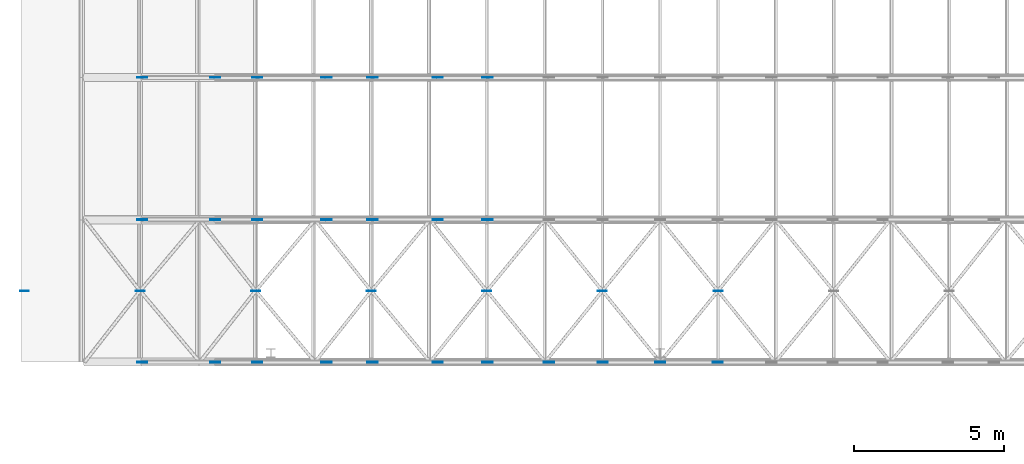
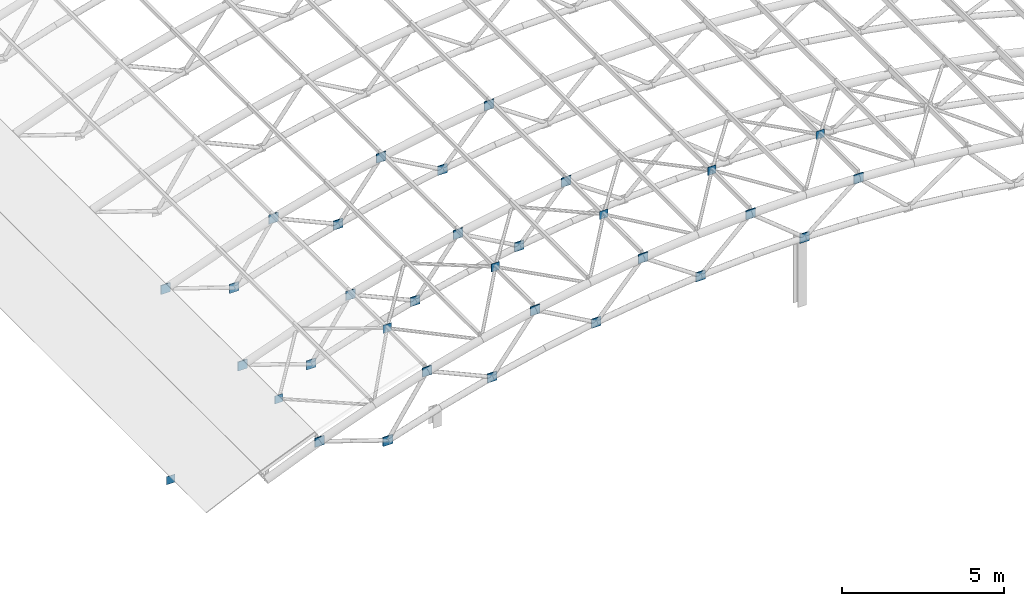
# One storey, part 11 of 22: 32 discrete accessories.
"""IFC4 building model written with IfcOpenShell, lengths in metres."""

import ifcopenshell
import ifcopenshell.guid

model = None  # the IFC model being written
_history = None  # IfcOwnerHistory: only IFC2X3 demands one
_inside = {}  # id of a spatial element -> (the spatial element, [elements in it])
_under = {}  # id of a project, library or spatial element -> (it, [spatial elements below it])
_declared = {}  # id of a project -> (the project, [libraries it declares])
_typed = {}  # id of a type object -> (the type object, [elements of that type])
_made_of = {}  # id of a material, layer set ... -> (it, [elements and type objects made of it])


def new_model(schema):
    """Start an empty IFC model of exactly this schema.

    Asked for "IFC4X3", IfcOpenShell would pick the latest addendum, in which some entities
    have other attributes; the version numbers below select the first issue.
    IFC2X3 requires an IfcOwnerHistory on every rooted entity: one is made here for all.
    """
    global model, _history
    if schema == "IFC4X3":
        model = ifcopenshell.file(schema_version=(4, 3, 0, 0))
    else:
        model = ifcopenshell.file(schema=schema)
    _inside.clear()
    _under.clear()
    _declared.clear()
    _typed.clear()
    _made_of.clear()
    _history = None
    if model.schema == "IFC2X3":
        org = make("IfcOrganization", Name="unknown")
        user = make(
            "IfcPersonAndOrganization",
            ThePerson=make("IfcPerson", FamilyName="unknown"),
            TheOrganization=org,
        )
        app = make(
            "IfcApplication",
            ApplicationDeveloper=org,
            Version="unknown",
            ApplicationFullName="unknown",
            ApplicationIdentifier="unknown",
        )
        _history = make(
            "IfcOwnerHistory",
            OwningUser=user,
            OwningApplication=app,
            ChangeAction="ADDED",
            CreationDate=0,
        )
    return model


def make(cls, **values):
    """One entity of the class cls with the attributes given. An attribute that is None is left unset."""
    return model.create_entity(
        cls, **{name: value for name, value in values.items() if value is not None}
    )


def rooted(cls, **values):
    """An entity with a GlobalId (a new one), such as an element, a storey or a relation."""
    return make(cls, GlobalId=ifcopenshell.guid.new(), OwnerHistory=_history, **values)


def si_unit(unit_type, name, prefix=None):
    """IfcSIUnit, for example si_unit("LENGTHUNIT", "METRE", prefix="MILLI")."""
    return make("IfcSIUnit", UnitType=unit_type, Prefix=prefix, Name=name)


def assignment(units):
    """IfcUnitAssignment: the units of a project."""
    return None if units is None else make("IfcUnitAssignment", Units=units)


def point(xyz):
    """IfcCartesianPoint."""
    return None if xyz is None else make("IfcCartesianPoint", Coordinates=xyz)


def direction(xyz):
    """IfcDirection."""
    return None if xyz is None else make("IfcDirection", DirectionRatios=xyz)


def frame(location, z_axis=None, x_axis=None):
    """IfcAxis2Placement3D, a coordinate frame: its origin and axes. An axis left out is left unset."""
    return make(
        "IfcAxis2Placement3D",
        Location=point(location),
        Axis=direction(z_axis),
        RefDirection=direction(x_axis),
    )


def frame_2d(location, x_axis=None):
    """IfcAxis2Placement2D, a coordinate frame in the plane: its origin and x axis."""
    return make(
        "IfcAxis2Placement2D", Location=point(location), RefDirection=direction(x_axis)
    )


def origin():
    """The frame at (0, 0, 0) with its axes left unset."""
    return frame((0.0, 0.0, 0.0))


def origin_2d():
    """The frame at (0, 0) in the plane with its x axis left unset."""
    return frame_2d((0.0, 0.0))


def place(relative_to, where):
    """IfcLocalPlacement: puts the frame where relative to a parent placement (None: the world)."""
    return make(
        "IfcLocalPlacement", PlacementRelTo=relative_to, RelativePlacement=where
    )


def context(
    kind, dimensions, precision=None, world=None, true_north=None, identifier=None
):
    """IfcGeometricRepresentationContext, for example the 3D "Model" context."""
    return make(
        "IfcGeometricRepresentationContext",
        ContextIdentifier=identifier,
        ContextType=kind,
        CoordinateSpaceDimension=dimensions,
        Precision=precision,
        WorldCoordinateSystem=world,
        TrueNorth=true_north,
    )


def subcontext(parent, identifier, kind, view, scale=None):
    """IfcGeometricRepresentationSubContext, for example "Body" below "Model"."""
    return make(
        "IfcGeometricRepresentationSubContext",
        ContextIdentifier=identifier,
        ContextType=kind,
        ParentContext=parent,
        TargetScale=scale,
        TargetView=view,
    )


def project(units=None, contexts=None):
    """IfcProject with its units and contexts."""
    return rooted(
        "IfcProject",
        Name="project",
        RepresentationContexts=contexts,
        UnitsInContext=assignment(units),
    )


def spatial(cls, under=None, at=None, **own):
    """A site, building, storey or space (cls), placed at a placement, below another one or the project."""
    s = rooted(cls, ObjectPlacement=at, **own)
    if under is not None:
        _under.setdefault(under.id(), (under, []))[1].append(s)
    return s


def profile(cls, at=None, kind="AREA", **sizes):
    """A parametric profile (cls). Its sizes go by their IFC names, for example OverallWidth=200.0."""
    return make(cls, ProfileType=kind, Position=at, **sizes)


def rectangle(**sizes):
    """IfcRectangleProfileDef."""
    return profile("IfcRectangleProfileDef", **sizes)


def extrude(swept, where, along, depth):
    """IfcExtrudedAreaSolid: the profile swept, set in the frame where, extruded along a direction by depth."""
    return make(
        "IfcExtrudedAreaSolid",
        SweptArea=swept,
        Position=where,
        ExtrudedDirection=direction(along),
        Depth=depth,
    )


def shape(context_of_items, identifier, shape_type, items):
    """IfcShapeRepresentation: the items that make up one representation, for example the "Body"."""
    return make(
        "IfcShapeRepresentation",
        ContextOfItems=context_of_items,
        RepresentationIdentifier=identifier,
        RepresentationType=shape_type,
        Items=items,
    )


def material(Name=None, Category=None):
    """IfcMaterial."""
    return make("IfcMaterial", Name=Name, Category=Category)


def layer(
    of_material, thickness, ventilated=None, Name=None, Category=None, Priority=None
):
    """IfcMaterialLayer: one layer of a wall or slab, of a material (None: an air gap)."""
    return make(
        "IfcMaterialLayer",
        Material=of_material,
        LayerThickness=thickness,
        IsVentilated=ventilated,
        Name=Name,
        Category=Category,
        Priority=Priority,
    )


def layer_set(layers, Name=None):
    """IfcMaterialLayerSet."""
    return make("IfcMaterialLayerSet", MaterialLayers=layers, LayerSetName=Name)


def made_of(thing, what):
    """Note that an element or type object is made of a material, layer set ...; save() writes the relation."""
    if what is not None:
        _made_of.setdefault(what.id(), (what, []))[1].append(thing)
    return thing


def type_object(cls, material=None, **own):
    """A type object (cls), such as IfcWallType, which elements share."""
    return made_of(rooted(cls, **own), material)


def element(
    cls,
    number,
    at=None,
    inside=None,
    cuts=None,
    type_object=None,
    material=None,
    context=None,
    identifier="Body",
    shape_type=None,
    held_by="IfcProductDefinitionShape",
    body=None,
    shapes=None,
    **own,
):
    """One element of the class cls, such as IfcWall. Its Tag is "e" and its number.

    at: its placement. inside: the storey or other place that contains it. cuts: it is an
    opening in that element (IfcRelVoidsElement). A single representation is given by context,
    identifier, shape_type and body (its items); several are given by shapes. held_by: the class
    of the entity that holds the representations. save() writes the other relations.
    """
    e = rooted(cls, Tag="e%d" % number, ObjectPlacement=at, **own)
    if body is not None:
        shapes = [shape(context, identifier, shape_type, body)]
    if shapes is not None:
        e.Representation = make(held_by, Representations=shapes)
    if inside is not None:
        _inside.setdefault(inside.id(), (inside, []))[1].append(e)
    if cuts is not None:
        rooted(
            "IfcRelVoidsElement", RelatingBuildingElement=cuts, RelatedOpeningElement=e
        )
    if type_object is not None:
        _typed.setdefault(type_object.id(), (type_object, []))[1].append(e)
    return made_of(e, material)


def aggregate(whole, parts):
    """IfcRelAggregates: a whole, such as a stair, and the parts it consists of."""
    return rooted("IfcRelAggregates", RelatingObject=whole, RelatedObjects=parts)


def save(model, path):
    """Write the relations noted so far, then the file.

    IfcRelAggregates (storeys below a building ...), IfcRelContainedInSpatialStructure (elements
    in a storey), IfcRelDefinesByType, IfcRelAssociatesMaterial and IfcRelDeclares: one each for
    every whole, place, type object, material and project.
    """
    for whole, parts in _under.values():
        aggregate(whole, parts)
    for where, things in _inside.values():
        rooted(
            "IfcRelContainedInSpatialStructure",
            RelatedElements=things,
            RelatingStructure=where,
        )
    for kind, things in _typed.values():
        rooted("IfcRelDefinesByType", RelatedObjects=things, RelatingType=kind)
    for what, things in _made_of.values():
        rooted("IfcRelAssociatesMaterial", RelatedObjects=things, RelatingMaterial=what)
    for by, libraries in _declared.values():
        rooted("IfcRelDeclares", RelatingContext=by, RelatedDefinitions=libraries)
    model.write(path)


model = new_model("IFC4")

# Units and contexts
model_context = context("Model", 3, precision=1e-05, world=origin(), true_north=direction((0.0, 1.0)))
body_context = subcontext(model_context, "Body", "Model", "MODEL_VIEW")
ifc_project = project(units=[si_unit("LENGTHUNIT", "METRE"), si_unit("AREAUNIT", "SQUARE_METRE"), si_unit("VOLUMEUNIT", "CUBIC_METRE"), si_unit("PLANEANGLEUNIT", "RADIAN"), si_unit("MASSUNIT", "GRAM", prefix="KILO")], contexts=[model_context])

# Site, building, storey
site_placement = place(None, origin())
site = spatial("IfcSite", under=ifc_project, at=site_placement, CompositionType="ELEMENT")
building_placement = place(site_placement, origin())
building = spatial("IfcBuilding", under=site, at=building_placement, Name="Elbe Cascade School", CompositionType="ELEMENT")
storey_placement = place(building_placement, frame((0.0, 0.0, 18.89990234375)))
storey = spatial("IfcBuildingStorey", under=building, at=storey_placement, Name="R05", CompositionType="ELEMENT", Elevation=18.89990234375)

# Discrete accessories
ifc_material_1 = material(Name="Steel S355J2", Category="steel")
ifc_layer_1 = layer(ifc_material_1, 0.011962890625)
ifc_layer_set_1 = layer_set([ifc_layer_1], Name="Steel S355J2")
discrete_accessory_type_1 = type_object("IfcDiscreteAccessoryType", Name="Brace gusset plate 12 mm", PredefinedType="BRACKET", material=ifc_layer_set_1)
for number, where, z_axis, x_axis, name in (
    (1, (12.7734375, 43.375, -0.59326171875), (0.0, 0.0, 1.0), (1.0, 0.0, 0.0), "Brace gusset plate 12 mm AC2"),
    (2, (16.6328125, 43.375, 1.1005859375), (0.0, 0.0, 1.0), (1.0, 0.0, 0.0), "Brace gusset plate 12 mm AC2"),
    (3, (20.4921875, 43.375, 2.4111328125), (0.0, 0.0, 1.0), (1.0, 0.0, 0.0), "Brace gusset plate 12 mm AC2"),
    (4, (24.3515625, 43.375, 3.3701171875), (0.0, 0.0, 1.0), (1.0, 0.0, 0.0), "Brace gusset plate 12 mm AC2"),
    (5, (28.2109375, 43.375, 3.99853515625), (0.0, 0.0, 1.0), (1.0, 0.0, 0.0), "Brace gusset plate 12 mm AC2"),
    (6, (32.0703125, 43.375, 4.31005859375), (0.0, 0.0, 1.0), (1.0, 0.0, 0.0), "Brace gusset plate 12 mm AC2"),
    (7, (35.9296875, 43.375, 4.31005859375), (0.0, 0.0, 1.0), (1.0, 0.0, 0.0), "Brace gusset plate 12 mm AC2"),
):
    element("IfcDiscreteAccessory", number, at=place(storey_placement, frame(where, z_axis=z_axis, x_axis=x_axis)), inside=storey, type_object=discrete_accessory_type_1, Name=name, PredefinedType="BRACKET", context=body_context, shape_type="SweptSolid", body=[
        extrude(rectangle(XDim=0.300048828125, YDim=0.011962890625, at=origin_2d()), origin(), (0.0, 0.0, 1.0), 0.300048828125),
    ])
ifc_material_2 = material(Name="Steel S355J2", Category="steel")
ifc_layer_2 = layer(ifc_material_2, 0.030029296875)
ifc_layer_set_2 = layer_set([ifc_layer_2], Name="Steel S355J2")
discrete_accessory_type_2 = type_object("IfcDiscreteAccessoryType", Name="Truss node connection", PredefinedType="BRACKET", material=ifc_layer_set_2)
for number, where, z_axis, x_axis, name in (
    (8, (19.142822265625, 41.0, 0.07080078125), (0.0, 0.0, 1.0), (1.0, 0.0, 0.0), "Truss node connection AC1"),
    (9, (22.857177734375, 41.0, 1.15966796875), (0.0, 0.0, 1.0), (1.0, 0.0, 0.0), "Truss node connection AC1"),
    (10, (26.5712890625, 41.0, 1.921875), (0.0, 0.0, 1.0), (1.0, 0.0, 0.0), "Truss node connection AC1"),
    (11, (30.28564453125, 41.0, 2.37255859375), (0.0, 0.0, 1.0), (1.0, 0.0, 0.0), "Truss node connection AC1"),
    (12, (34.0, 41.0, 2.52197265625), (0.0, 0.0, 1.0), (1.0, 0.0, 0.0), "Truss node connection AC1"),
    (13, (16.70751953125, 41.0, 0.88818359375), (0.0, 0.0, 1.0), (1.0, 0.0, 0.0), "Truss node connection AC1"),
    (14, (20.55029296875, 41.0, 2.19287109375), (0.0, 0.0, 1.0), (1.0, 0.0, 0.0), "Truss node connection AC1"),
    (15, (24.39306640625, 41.0, 3.14794921875), (0.0, 0.0, 1.0), (1.0, 0.0, 0.0), "Truss node connection AC1"),
    (16, (28.23583984375, 41.0, 3.7734375), (0.0, 0.0, 1.0), (1.0, 0.0, 0.0), "Truss node connection AC1"),
    (17, (32.07861328125, 41.0, 4.08349609375), (0.0, 0.0, 1.0), (1.0, 0.0, 0.0), "Truss node connection AC1"),
    (18, (35.92138671875, 41.0, 4.08349609375), (0.0, 0.0, 1.0), (1.0, 0.0, 0.0), "Truss node connection AC1"),
    (19, (19.142822265625, 45.75, 0.07080078125), (0.0, 0.0, 1.0), (1.0, 0.0, 0.0), "Truss node connection AC1"),
    (20, (22.857177734375, 45.75, 1.15966796875), (0.0, 0.0, 1.0), (1.0, 0.0, 0.0), "Truss node connection AC1"),
    (21, (26.5712890625, 45.75, 1.921875), (0.0, 0.0, 1.0), (1.0, 0.0, 0.0), "Truss node connection AC1"),
    (22, (16.70751953125, 45.75, 0.88818359375), (0.0, 0.0, 1.0), (1.0, 0.0, 0.0), "Truss node connection AC1"),
    (23, (20.55029296875, 45.75, 2.19287109375), (0.0, 0.0, 1.0), (1.0, 0.0, 0.0), "Truss node connection AC1"),
    (24, (24.39306640625, 45.75, 3.14794921875), (0.0, 0.0, 1.0), (1.0, 0.0, 0.0), "Truss node connection AC1"),
    (25, (28.23583984375, 45.75, 3.7734375), (0.0, 0.0, 1.0), (1.0, 0.0, 0.0), "Truss node connection AC1"),
    (26, (19.142822265625, 50.5, 0.07080078125), (0.0, 0.0, 1.0), (1.0, 0.0, 0.0), "Truss node connection AC1"),
    (27, (22.857177734375, 50.5, 1.15966796875), (0.0, 0.0, 1.0), (1.0, 0.0, 0.0), "Truss node connection AC1"),
    (28, (26.5712890625, 50.5, 1.921875), (0.0, 0.0, 1.0), (1.0, 0.0, 0.0), "Truss node connection AC1"),
    (29, (16.70751953125, 50.5, 0.88818359375), (0.0, 0.0, 1.0), (1.0, 0.0, 0.0), "Truss node connection AC1"),
    (30, (20.55029296875, 50.5, 2.19287109375), (0.0, 0.0, 1.0), (1.0, 0.0, 0.0), "Truss node connection AC1"),
    (31, (24.39306640625, 50.5, 3.14794921875), (0.0, 0.0, 1.0), (1.0, 0.0, 0.0), "Truss node connection AC1"),
    (32, (28.23583984375, 50.5, 3.7734375), (0.0, 0.0, 1.0), (1.0, 0.0, 0.0), "Truss node connection AC1"),
):
    element("IfcDiscreteAccessory", number, at=place(storey_placement, frame(where, z_axis=z_axis, x_axis=x_axis)), inside=storey, type_object=discrete_accessory_type_2, Name=name, PredefinedType="BRACKET", context=body_context, shape_type="SweptSolid", body=[
        extrude(rectangle(XDim=0.340087890625, YDim=0.030029296875, at=origin_2d()), origin(), (0.0, 0.0, 1.0), 0.340087890625),
    ])

save(model, "model.ifc")
